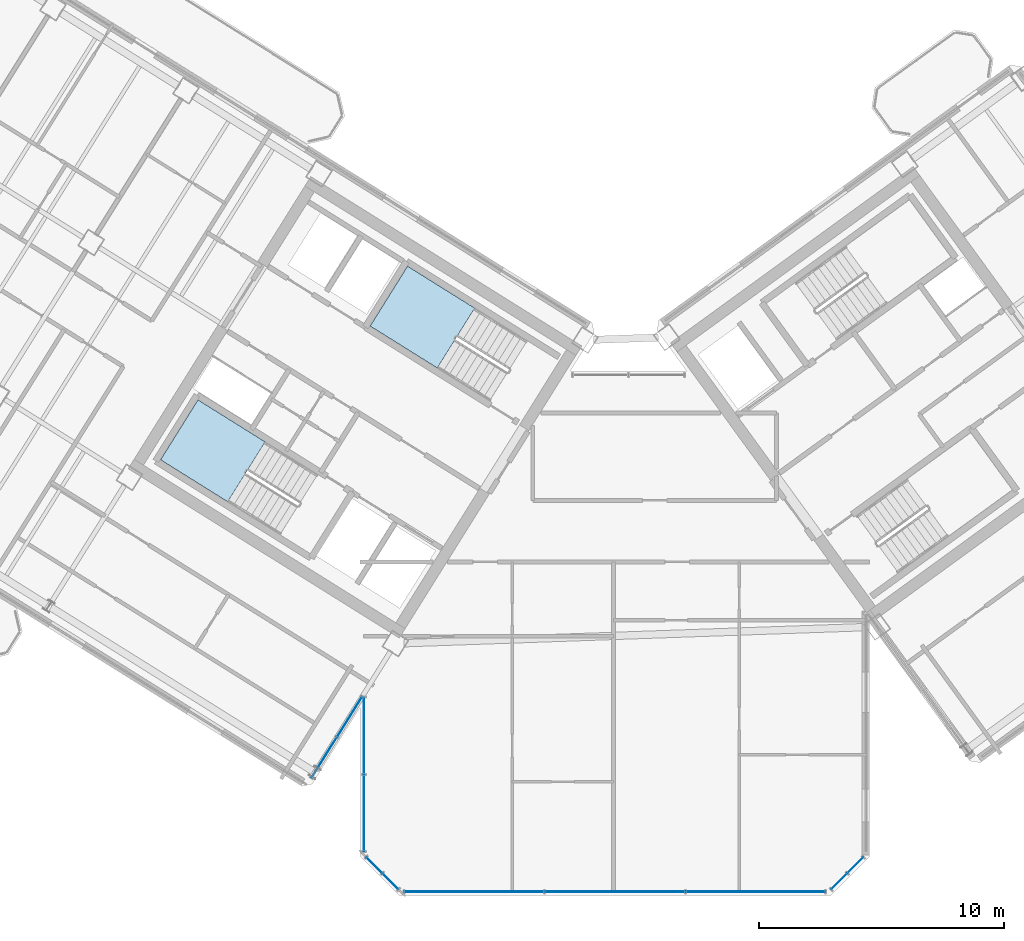
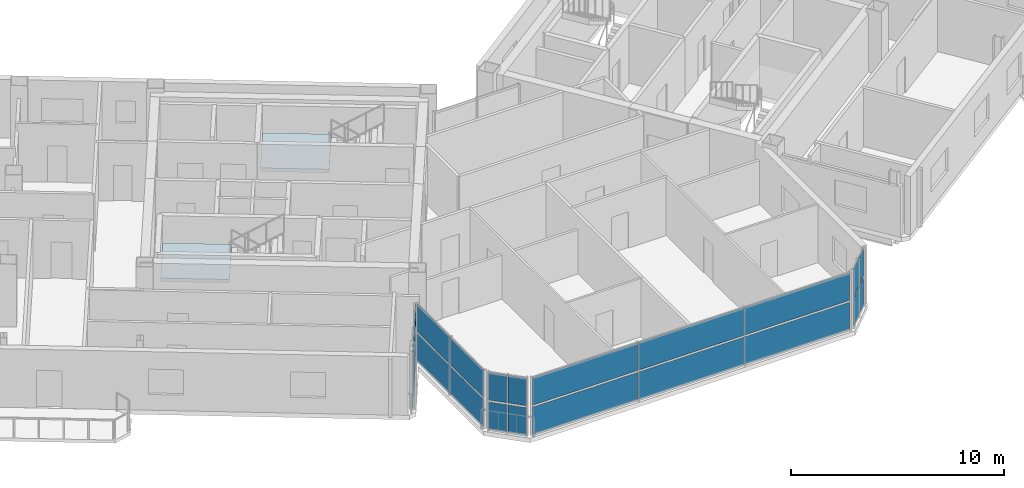
# One storey, part 14 of 29: 22 plates, 2 slabs, 7 elements without a shape of their own.
"""IFC4 building model written with IfcOpenShell, lengths in metres."""

import ifcopenshell
import ifcopenshell.guid

model = None  # the IFC model being written
_history = None  # IfcOwnerHistory: only IFC2X3 demands one
_inside = {}  # id of a spatial element -> (the spatial element, [elements in it])
_under = {}  # id of a project, library or spatial element -> (it, [spatial elements below it])
_declared = {}  # id of a project -> (the project, [libraries it declares])
_typed = {}  # id of a type object -> (the type object, [elements of that type])
_made_of = {}  # id of a material, layer set ... -> (it, [elements and type objects made of it])


def new_model(schema):
    """Start an empty IFC model of exactly this schema.

    Asked for "IFC4X3", IfcOpenShell would pick the latest addendum, in which some entities
    have other attributes; the version numbers below select the first issue.
    IFC2X3 requires an IfcOwnerHistory on every rooted entity: one is made here for all.
    """
    global model, _history
    if schema == "IFC4X3":
        model = ifcopenshell.file(schema_version=(4, 3, 0, 0))
    else:
        model = ifcopenshell.file(schema=schema)
    _inside.clear()
    _under.clear()
    _declared.clear()
    _typed.clear()
    _made_of.clear()
    _history = None
    if model.schema == "IFC2X3":
        org = make("IfcOrganization", Name="unknown")
        user = make(
            "IfcPersonAndOrganization",
            ThePerson=make("IfcPerson", FamilyName="unknown"),
            TheOrganization=org,
        )
        app = make(
            "IfcApplication",
            ApplicationDeveloper=org,
            Version="unknown",
            ApplicationFullName="unknown",
            ApplicationIdentifier="unknown",
        )
        _history = make(
            "IfcOwnerHistory",
            OwningUser=user,
            OwningApplication=app,
            ChangeAction="ADDED",
            CreationDate=0,
        )
    return model


def make(cls, **values):
    """One entity of the class cls with the attributes given. An attribute that is None is left unset."""
    return model.create_entity(
        cls, **{name: value for name, value in values.items() if value is not None}
    )


def rooted(cls, **values):
    """An entity with a GlobalId (a new one), such as an element, a storey or a relation."""
    return make(cls, GlobalId=ifcopenshell.guid.new(), OwnerHistory=_history, **values)


def si_unit(unit_type, name, prefix=None):
    """IfcSIUnit, for example si_unit("LENGTHUNIT", "METRE", prefix="MILLI")."""
    return make("IfcSIUnit", UnitType=unit_type, Prefix=prefix, Name=name)


def assignment(units):
    """IfcUnitAssignment: the units of a project."""
    return None if units is None else make("IfcUnitAssignment", Units=units)


def point(xyz):
    """IfcCartesianPoint."""
    return None if xyz is None else make("IfcCartesianPoint", Coordinates=xyz)


def direction(xyz):
    """IfcDirection."""
    return None if xyz is None else make("IfcDirection", DirectionRatios=xyz)


def frame(location, z_axis=None, x_axis=None):
    """IfcAxis2Placement3D, a coordinate frame: its origin and axes. An axis left out is left unset."""
    return make(
        "IfcAxis2Placement3D",
        Location=point(location),
        Axis=direction(z_axis),
        RefDirection=direction(x_axis),
    )


def frame_2d(location, x_axis=None):
    """IfcAxis2Placement2D, a coordinate frame in the plane: its origin and x axis."""
    return make(
        "IfcAxis2Placement2D", Location=point(location), RefDirection=direction(x_axis)
    )


def origin():
    """The frame at (0, 0, 0) with its axes left unset."""
    return frame((0.0, 0.0, 0.0))


def origin_2d():
    """The frame at (0, 0) in the plane with its x axis left unset."""
    return frame_2d((0.0, 0.0))


def place(relative_to, where):
    """IfcLocalPlacement: puts the frame where relative to a parent placement (None: the world)."""
    return make(
        "IfcLocalPlacement", PlacementRelTo=relative_to, RelativePlacement=where
    )


def context(
    kind, dimensions, precision=None, world=None, true_north=None, identifier=None
):
    """IfcGeometricRepresentationContext, for example the 3D "Model" context."""
    return make(
        "IfcGeometricRepresentationContext",
        ContextIdentifier=identifier,
        ContextType=kind,
        CoordinateSpaceDimension=dimensions,
        Precision=precision,
        WorldCoordinateSystem=world,
        TrueNorth=true_north,
    )


def subcontext(parent, identifier, kind, view, scale=None):
    """IfcGeometricRepresentationSubContext, for example "Body" below "Model"."""
    return make(
        "IfcGeometricRepresentationSubContext",
        ContextIdentifier=identifier,
        ContextType=kind,
        ParentContext=parent,
        TargetScale=scale,
        TargetView=view,
    )


def project(units=None, contexts=None):
    """IfcProject with its units and contexts."""
    return rooted(
        "IfcProject",
        Name="project",
        RepresentationContexts=contexts,
        UnitsInContext=assignment(units),
    )


def spatial(cls, under=None, at=None, **own):
    """A site, building, storey or space (cls), placed at a placement, below another one or the project."""
    s = rooted(cls, ObjectPlacement=at, **own)
    if under is not None:
        _under.setdefault(under.id(), (under, []))[1].append(s)
    return s


def polyline(points):
    """IfcPolyline through the points."""
    return make("IfcPolyline", Points=[point(p) for p in points])


def profile(cls, at=None, kind="AREA", **sizes):
    """A parametric profile (cls). Its sizes go by their IFC names, for example OverallWidth=200.0."""
    return make(cls, ProfileType=kind, Position=at, **sizes)


def rectangle(**sizes):
    """IfcRectangleProfileDef."""
    return profile("IfcRectangleProfileDef", **sizes)


def outline(outer, holes=None, kind="AREA"):
    """IfcArbitraryClosedProfileDef: a profile drawn as a closed curve; with holes, ...WithVoids."""
    if holes is None:
        return make("IfcArbitraryClosedProfileDef", ProfileType=kind, OuterCurve=outer)
    return make(
        "IfcArbitraryProfileDefWithVoids",
        ProfileType=kind,
        OuterCurve=outer,
        InnerCurves=holes,
    )


def extrude(swept, where, along, depth):
    """IfcExtrudedAreaSolid: the profile swept, set in the frame where, extruded along a direction by depth."""
    return make(
        "IfcExtrudedAreaSolid",
        SweptArea=swept,
        Position=where,
        ExtrudedDirection=direction(along),
        Depth=depth,
    )


def shape(context_of_items, identifier, shape_type, items):
    """IfcShapeRepresentation: the items that make up one representation, for example the "Body"."""
    return make(
        "IfcShapeRepresentation",
        ContextOfItems=context_of_items,
        RepresentationIdentifier=identifier,
        RepresentationType=shape_type,
        Items=items,
    )


def source(mapping_origin, context_of_items, identifier, shape_type, items):
    """IfcRepresentationMap: a shape defined once, which mapped items show again and again."""
    return make(
        "IfcRepresentationMap",
        MappingOrigin=mapping_origin,
        MappedRepresentation=shape(context_of_items, identifier, shape_type, items),
    )


def transform(
    local_origin,
    x_axis=None,
    y_axis=None,
    z_axis=None,
    scale=None,
    scale2=None,
    scale3=None,
    uniform=True,
):
    """IfcCartesianTransformationOperator3D, or its non-uniform kind. x_axis, y_axis, z_axis: its Axis1, 2, 3."""
    if uniform:
        return make(
            "IfcCartesianTransformationOperator3D",
            Axis1=direction(x_axis),
            Axis2=direction(y_axis),
            LocalOrigin=point(local_origin),
            Scale=scale,
            Axis3=direction(z_axis),
        )
    return make(
        "IfcCartesianTransformationOperator3DnonUniform",
        Axis1=direction(x_axis),
        Axis2=direction(y_axis),
        LocalOrigin=point(local_origin),
        Scale=scale,
        Axis3=direction(z_axis),
        Scale2=scale2,
        Scale3=scale3,
    )


def mapped(mapping_source, mapping_target):
    """IfcMappedItem: shows the shape of a source again, moved by a transform."""
    return make(
        "IfcMappedItem", MappingSource=mapping_source, MappingTarget=mapping_target
    )


def material(Name=None, Category=None):
    """IfcMaterial."""
    return make("IfcMaterial", Name=Name, Category=Category)


def layer(
    of_material, thickness, ventilated=None, Name=None, Category=None, Priority=None
):
    """IfcMaterialLayer: one layer of a wall or slab, of a material (None: an air gap)."""
    return make(
        "IfcMaterialLayer",
        Material=of_material,
        LayerThickness=thickness,
        IsVentilated=ventilated,
        Name=Name,
        Category=Category,
        Priority=Priority,
    )


def layer_set(layers, Name=None):
    """IfcMaterialLayerSet."""
    return make("IfcMaterialLayerSet", MaterialLayers=layers, LayerSetName=Name)


def made_of(thing, what):
    """Note that an element or type object is made of a material, layer set ...; save() writes the relation."""
    if what is not None:
        _made_of.setdefault(what.id(), (what, []))[1].append(thing)
    return thing


def type_object(cls, material=None, **own):
    """A type object (cls), such as IfcWallType, which elements share."""
    return made_of(rooted(cls, **own), material)


def element(
    cls,
    number,
    at=None,
    inside=None,
    cuts=None,
    type_object=None,
    material=None,
    context=None,
    identifier="Body",
    shape_type=None,
    held_by="IfcProductDefinitionShape",
    body=None,
    shapes=None,
    **own,
):
    """One element of the class cls, such as IfcWall. Its Tag is "e" and its number.

    at: its placement. inside: the storey or other place that contains it. cuts: it is an
    opening in that element (IfcRelVoidsElement). A single representation is given by context,
    identifier, shape_type and body (its items); several are given by shapes. held_by: the class
    of the entity that holds the representations. save() writes the other relations.
    """
    e = rooted(cls, Tag="e%d" % number, ObjectPlacement=at, **own)
    if body is not None:
        shapes = [shape(context, identifier, shape_type, body)]
    if shapes is not None:
        e.Representation = make(held_by, Representations=shapes)
    if inside is not None:
        _inside.setdefault(inside.id(), (inside, []))[1].append(e)
    if cuts is not None:
        rooted(
            "IfcRelVoidsElement", RelatingBuildingElement=cuts, RelatedOpeningElement=e
        )
    if type_object is not None:
        _typed.setdefault(type_object.id(), (type_object, []))[1].append(e)
    return made_of(e, material)


def aggregate(whole, parts):
    """IfcRelAggregates: a whole, such as a stair, and the parts it consists of."""
    return rooted("IfcRelAggregates", RelatingObject=whole, RelatedObjects=parts)


def save(model, path):
    """Write the relations noted so far, then the file.

    IfcRelAggregates (storeys below a building ...), IfcRelContainedInSpatialStructure (elements
    in a storey), IfcRelDefinesByType, IfcRelAssociatesMaterial and IfcRelDeclares: one each for
    every whole, place, type object, material and project.
    """
    for whole, parts in _under.values():
        aggregate(whole, parts)
    for where, things in _inside.values():
        rooted(
            "IfcRelContainedInSpatialStructure",
            RelatedElements=things,
            RelatingStructure=where,
        )
    for kind, things in _typed.values():
        rooted("IfcRelDefinesByType", RelatedObjects=things, RelatingType=kind)
    for what, things in _made_of.values():
        rooted("IfcRelAssociatesMaterial", RelatedObjects=things, RelatingMaterial=what)
    for by, libraries in _declared.values():
        rooted("IfcRelDeclares", RelatingContext=by, RelatedDefinitions=libraries)
    model.write(path)


model = new_model("IFC4")

# Units and contexts
model_context = context("Model", 3, precision=1e-05, world=origin(), true_north=direction((0.0, 1.0)))
body_context = subcontext(model_context, "Body", "Model", "MODEL_VIEW")
ifc_project = project(units=[si_unit("LENGTHUNIT", "METRE"), si_unit("AREAUNIT", "SQUARE_METRE"), si_unit("VOLUMEUNIT", "CUBIC_METRE"), si_unit("PLANEANGLEUNIT", "RADIAN"), si_unit("MASSUNIT", "GRAM", prefix="KILO")], contexts=[model_context])

# Site, building, storey
site_placement = place(None, origin())
site = spatial("IfcSite", under=ifc_project, at=site_placement, CompositionType="ELEMENT")
building_placement = place(site_placement, origin())
building = spatial("IfcBuilding", under=site, at=building_placement, Name="Tlacorven Tower", CompositionType="ELEMENT")
storey_placement = place(building_placement, frame((0.0, 0.0, 238.5)))
storey = spatial("IfcBuildingStorey", under=building, at=storey_placement, Name="L60", CompositionType="ELEMENT", Elevation=238.5)

# Stair, slab
ifc_material_1 = material(Name="Concrete C40/50", Category="concrete")
stair_type = type_object("IfcStairType", Name="ST-CORE-DLG", PredefinedType="HALF_TURN_STAIR", material=ifc_material_1)
stair_1_placement = place(storey_placement, origin())
stair_1 = element("IfcStair", 1, at=stair_1_placement, inside=storey, type_object=stair_type, Name="L60 Protected Exit Stair West 1", PredefinedType="HALF_TURN_STAIR")
ifc_layer_1 = layer(ifc_material_1, 0.199951171875)
ifc_layer_set_1 = layer_set([ifc_layer_1], Name="Concrete C40/50")
slab_type = type_object("IfcSlabType", Name="SL-LND-200", PredefinedType="LANDING", material=ifc_layer_set_1)
slab_1_placement = place(storey_placement, frame((0.0, 0.0, 1.60009765625)))
slab_1 = element("IfcSlab", 2, at=slab_1_placement, type_object=slab_type, Name="ST-W1 landing 1", PredefinedType="LANDING", context=body_context, shape_type="SweptSolid", body=[
    extrude(outline(polyline([(27.728515625, 20.315185546875), (24.9892578125, 22.02685546875), (23.463134765625, 19.58447265625), (26.2021484375, 17.872802734375), (27.728515625, 20.315185546875)])), origin(), (0.0, 0.0, 1.0), 0.199951171875),
])
aggregate(stair_1, [slab_1])

stair_2_placement = place(storey_placement, origin())
stair_2 = element("IfcStair", 3, at=stair_2_placement, inside=storey, type_object=stair_type, Name="L60 Protected Exit Stair West 2", PredefinedType="HALF_TURN_STAIR")
slab_2_placement = place(storey_placement, frame((0.0, 0.0, 1.60009765625)))
slab_2 = element("IfcSlab", 4, at=slab_2_placement, type_object=slab_type, Name="ST-W2 landing 1", PredefinedType="LANDING", context=body_context, shape_type="SweptSolid", body=[
    extrude(outline(polyline([(36.280029296875, 25.772705078125), (33.540771484375, 27.484375), (32.0146484375, 25.0419921875), (34.75390625, 23.33056640625), (36.280029296875, 25.772705078125)])), origin(), (0.0, 0.0, 1.0), 0.199951171875),
])
aggregate(stair_2, [slab_2])

# Curtain wall, plates
ifc_material_2 = material(Name="Dark solar low-E double glazing in aluminium frame", Category="aluminium")
curtain_wall_type = type_object("IfcCurtainWallType", Name="CW-TWR-HIGH", PredefinedType="USERDEFINED", material=ifc_material_2)
curtain_wall_1_placement = place(storey_placement, origin())
curtain_wall_1 = element("IfcCurtainWall", 5, at=curtain_wall_1_placement, inside=storey, type_object=curtain_wall_type, Name="L60 CW-TWR-HIGH Curtain Wall 272", ObjectType="UNITISED CURTAIN WALL", PredefinedType="USERDEFINED")
ifc_material_3 = material(Name="High-wind dark solar tempered low-E glazing", Category="glass")
ifc_layer_2 = layer(ifc_material_3, 0.028076171875)
ifc_layer_set_2 = layer_set([ifc_layer_2], Name="High-wind dark solar tempered low-E glazing")
plate_type = type_object("IfcPlateType", Name="CWP-03", PredefinedType="CURTAIN_PANEL", material=ifc_layer_set_2)
shared_shape_1 = source(origin(), body_context, "Body", "SweptSolid", [
    extrude(rectangle(XDim=0.89306640625, YDim=0.028076171875, at=origin_2d()), origin(), (0.0, 0.0, 1.0), 1.572998046875),
])
plate_1_placement = place(storey_placement, frame((51.8173828125, 3.043701171875, 0.05078125), z_axis=(0.0, 0.0, 1.0), x_axis=(-0.707106781187, -0.707106781187, 0.0)))
plate_1 = element("IfcPlate", 6, at=plate_1_placement, type_object=plate_type, Name="CW-L60-272 Glazing Panel 1", PredefinedType="CURTAIN_PANEL", context=body_context, shape_type="MappedRepresentation", body=[
    mapped(shared_shape_1, transform((0.0, 0.0, 0.0), scale=1.0)),
])
plate_2_placement = place(storey_placement, frame((51.8173828125, 3.043701171875, 1.72607421875), z_axis=(0.0, 0.0, 1.0), x_axis=(-0.707106781187, -0.707106781187, 0.0)))
plate_2 = element("IfcPlate", 7, at=plate_2_placement, type_object=plate_type, Name="CW-L60-272 Glazing Panel 2", PredefinedType="CURTAIN_PANEL", context=body_context, shape_type="MappedRepresentation", body=[
    mapped(shared_shape_1, transform((0.0, 0.0, 0.0), scale=1.0)),
])
plate_3_placement = place(storey_placement, frame((51.15625, 2.382568359375, 0.05078125), z_axis=(0.0, 0.0, 1.0), x_axis=(-0.707106781187, -0.707106781187, 0.0)))
plate_3 = element("IfcPlate", 8, at=plate_3_placement, type_object=plate_type, Name="CW-L60-272 Glazing Panel 3", PredefinedType="CURTAIN_PANEL", context=body_context, shape_type="MappedRepresentation", body=[
    mapped(shared_shape_1, transform((0.0, 0.0, 0.0), scale=1.0)),
])
plate_4_placement = place(storey_placement, frame((51.15625, 2.382568359375, 1.72607421875), z_axis=(0.0, 0.0, 1.0), x_axis=(-0.707106781187, -0.707106781187, 0.0)))
plate_4 = element("IfcPlate", 9, at=plate_4_placement, type_object=plate_type, Name="CW-L60-272 Glazing Panel 4", PredefinedType="CURTAIN_PANEL", context=body_context, shape_type="MappedRepresentation", body=[
    mapped(shared_shape_1, transform((0.0, 0.0, 0.0), scale=1.0)),
])
aggregate(curtain_wall_1, [plate_1, plate_2, plate_3, plate_4])

curtain_wall_2_placement = place(storey_placement, origin())
curtain_wall_2 = element("IfcCurtainWall", 10, at=curtain_wall_2_placement, inside=storey, type_object=curtain_wall_type, Name="L60 CW-TWR-HIGH Curtain Wall 274", ObjectType="UNITISED CURTAIN WALL", PredefinedType="USERDEFINED")
plate_5_placement = place(storey_placement, frame((32.84375, 2.382568359375, 0.05078125), z_axis=(0.0, 0.0, 1.0), x_axis=(-0.707106781187, 0.707106781187, 0.0)))
plate_5 = element("IfcPlate", 11, at=plate_5_placement, type_object=plate_type, Name="CW-L60-274 Glazing Panel 1", PredefinedType="CURTAIN_PANEL", context=body_context, shape_type="MappedRepresentation", body=[
    mapped(shared_shape_1, transform((0.0, 0.0, 0.0), scale=1.0)),
])
plate_6_placement = place(storey_placement, frame((32.84375, 2.382568359375, 1.72607421875), z_axis=(0.0, 0.0, 1.0), x_axis=(-0.707106781187, 0.707106781187, 0.0)))
plate_6 = element("IfcPlate", 12, at=plate_6_placement, type_object=plate_type, Name="CW-L60-274 Glazing Panel 2", PredefinedType="CURTAIN_PANEL", context=body_context, shape_type="MappedRepresentation", body=[
    mapped(shared_shape_1, transform((0.0, 0.0, 0.0), scale=1.0)),
])
plate_7_placement = place(storey_placement, frame((32.1826171875, 3.043701171875, 0.05078125), z_axis=(0.0, 0.0, 1.0), x_axis=(-0.707106781187, 0.707106781187, 0.0)))
plate_7 = element("IfcPlate", 13, at=plate_7_placement, type_object=plate_type, Name="CW-L60-274 Glazing Panel 3", PredefinedType="CURTAIN_PANEL", context=body_context, shape_type="MappedRepresentation", body=[
    mapped(shared_shape_1, transform((0.0, 0.0, 0.0), scale=1.0)),
])
plate_8_placement = place(storey_placement, frame((32.1826171875, 3.043701171875, 1.72607421875), z_axis=(0.0, 0.0, 1.0), x_axis=(-0.707106781187, 0.707106781187, 0.0)))
plate_8 = element("IfcPlate", 14, at=plate_8_placement, type_object=plate_type, Name="CW-L60-274 Glazing Panel 4", PredefinedType="CURTAIN_PANEL", context=body_context, shape_type="MappedRepresentation", body=[
    mapped(shared_shape_1, transform((0.0, 0.0, 0.0), scale=1.0)),
])
aggregate(curtain_wall_2, [plate_5, plate_6, plate_7, plate_8])

curtain_wall_3_placement = place(storey_placement, origin())
curtain_wall_3 = element("IfcCurtainWall", 15, at=curtain_wall_3_placement, inside=storey, type_object=curtain_wall_type, Name="L60 CW-TWR-HIGH Curtain Wall 273", ObjectType="UNITISED CURTAIN WALL", PredefinedType="USERDEFINED")
shared_shape_2 = source(origin(), body_context, "Body", "SweptSolid", [
    extrude(rectangle(XDim=5.683837890625, YDim=0.028076171875, at=origin_2d()), origin(), (0.0, 0.0, 1.0), 1.572998046875),
])
plate_9_placement = place(storey_placement, frame((47.74072265625, 1.9599609375, 0.05078125), z_axis=(0.0, 0.0, 1.0), x_axis=(-1.0, 0.0, 0.0)))
plate_9 = element("IfcPlate", 16, at=plate_9_placement, type_object=plate_type, Name="CW-L60-273 Glazing Panel 1", PredefinedType="CURTAIN_PANEL", context=body_context, shape_type="MappedRepresentation", body=[
    mapped(shared_shape_2, transform((0.0, 0.0, 0.0), scale=1.0)),
])
plate_10_placement = place(storey_placement, frame((47.74072265625, 1.9599609375, 1.72607421875), z_axis=(0.0, 0.0, 1.0), x_axis=(-1.0, 0.0, 0.0)))
plate_10 = element("IfcPlate", 17, at=plate_10_placement, type_object=plate_type, Name="CW-L60-273 Glazing Panel 2", PredefinedType="CURTAIN_PANEL", context=body_context, shape_type="MappedRepresentation", body=[
    mapped(shared_shape_2, transform((0.0, 0.0, 0.0), scale=1.0)),
])
plate_11_placement = place(storey_placement, frame((36.25927734375, 1.9599609375, 0.05078125), z_axis=(0.0, 0.0, 1.0), x_axis=(-1.0, 0.0, 0.0)))
plate_11 = element("IfcPlate", 18, at=plate_11_placement, type_object=plate_type, Name="CW-L60-273 Glazing Panel 5", PredefinedType="CURTAIN_PANEL", context=body_context, shape_type="MappedRepresentation", body=[
    mapped(shared_shape_2, transform((0.0, 0.0, 0.0), scale=1.0)),
])
plate_12_placement = place(storey_placement, frame((36.25927734375, 1.9599609375, 1.72607421875), z_axis=(0.0, 0.0, 1.0), x_axis=(-1.0, 0.0, 0.0)))
plate_12 = element("IfcPlate", 19, at=plate_12_placement, type_object=plate_type, Name="CW-L60-273 Glazing Panel 6", PredefinedType="CURTAIN_PANEL", context=body_context, shape_type="MappedRepresentation", body=[
    mapped(shared_shape_2, transform((0.0, 0.0, 0.0), scale=1.0)),
])
shared_shape_3 = source(origin(), body_context, "Body", "SweptSolid", [
    extrude(rectangle(XDim=5.7138671875, YDim=0.028076171875, at=origin_2d()), origin(), (0.0, 0.0, 1.0), 1.572998046875),
])
plate_13_placement = place(storey_placement, frame((42.0, 1.9599609375, 0.05078125), z_axis=(0.0, 0.0, 1.0), x_axis=(-1.0, 0.0, 0.0)))
plate_13 = element("IfcPlate", 20, at=plate_13_placement, type_object=plate_type, Name="CW-L60-273 Glazing Panel 3", PredefinedType="CURTAIN_PANEL", context=body_context, shape_type="MappedRepresentation", body=[
    mapped(shared_shape_3, transform((0.0, 0.0, 0.0), scale=1.0)),
])
plate_14_placement = place(storey_placement, frame((42.0, 1.9599609375, 1.72607421875), z_axis=(0.0, 0.0, 1.0), x_axis=(-1.0, 0.0, 0.0)))
plate_14 = element("IfcPlate", 21, at=plate_14_placement, type_object=plate_type, Name="CW-L60-273 Glazing Panel 4", PredefinedType="CURTAIN_PANEL", context=body_context, shape_type="MappedRepresentation", body=[
    mapped(shared_shape_3, transform((0.0, 0.0, 0.0), scale=1.0)),
])
aggregate(curtain_wall_3, [plate_9, plate_10, plate_13, plate_14, plate_11, plate_12])

curtain_wall_4_placement = place(storey_placement, origin())
curtain_wall_4 = element("IfcCurtainWall", 22, at=curtain_wall_4_placement, inside=storey, type_object=curtain_wall_type, Name="L60 CW-TWR-HIGH Curtain Wall 275", ObjectType="UNITISED CURTAIN WALL", PredefinedType="USERDEFINED")
shared_shape_4 = source(origin(), body_context, "Body", "SweptSolid", [
    extrude(rectangle(XDim=3.109130859375, YDim=0.028076171875, at=origin_2d()), origin(), (0.0, 0.0, 1.0), 1.572998046875),
])
plate_15_placement = place(storey_placement, frame((31.760009765625, 5.171875, 0.05078125), z_axis=(0.0, 0.0, 1.0), x_axis=(0.0, 1.0, 0.0)))
plate_15 = element("IfcPlate", 23, at=plate_15_placement, type_object=plate_type, Name="CW-L60-275 Glazing Panel 1", PredefinedType="CURTAIN_PANEL", context=body_context, shape_type="MappedRepresentation", body=[
    mapped(shared_shape_4, transform((0.0, 0.0, 0.0), scale=1.0)),
])
plate_16_placement = place(storey_placement, frame((31.760009765625, 5.171875, 1.72607421875), z_axis=(0.0, 0.0, 1.0), x_axis=(0.0, 1.0, 0.0)))
plate_16 = element("IfcPlate", 24, at=plate_16_placement, type_object=plate_type, Name="CW-L60-275 Glazing Panel 2", PredefinedType="CURTAIN_PANEL", context=body_context, shape_type="MappedRepresentation", body=[
    mapped(shared_shape_4, transform((0.0, 0.0, 0.0), scale=1.0)),
])
plate_17_placement = place(storey_placement, frame((31.760009765625, 8.322998046875, 0.05078125), z_axis=(0.0, 0.0, 1.0), x_axis=(0.0, 1.0, 0.0)))
plate_17 = element("IfcPlate", 25, at=plate_17_placement, type_object=plate_type, Name="CW-L60-275 Glazing Panel 3", PredefinedType="CURTAIN_PANEL", context=body_context, shape_type="MappedRepresentation", body=[
    mapped(shared_shape_4, transform((0.0, 0.0, 0.0), scale=1.0)),
])
plate_18_placement = place(storey_placement, frame((31.760009765625, 8.322998046875, 1.72607421875), z_axis=(0.0, 0.0, 1.0), x_axis=(0.0, 1.0, 0.0)))
plate_18 = element("IfcPlate", 26, at=plate_18_placement, type_object=plate_type, Name="CW-L60-275 Glazing Panel 4", PredefinedType="CURTAIN_PANEL", context=body_context, shape_type="MappedRepresentation", body=[
    mapped(shared_shape_4, transform((0.0, 0.0, 0.0), scale=1.0)),
])
aggregate(curtain_wall_4, [plate_15, plate_16, plate_17, plate_18])

curtain_wall_5_placement = place(storey_placement, origin())
curtain_wall_5 = element("IfcCurtainWall", 27, at=curtain_wall_5_placement, inside=storey, type_object=curtain_wall_type, Name="L60 CW-TWR-HIGH Curtain Wall 276", ObjectType="UNITISED CURTAIN WALL", PredefinedType="USERDEFINED")
shared_shape_5 = source(origin(), body_context, "Body", "SweptSolid", [
    extrude(rectangle(XDim=1.911376953125, YDim=0.028076171875, at=origin_2d()), origin(), (0.0, 0.0, 1.0), 1.572998046875),
])
plate_19_placement = place(storey_placement, frame((31.173583984375, 9.090087890625, 0.05078125), z_axis=(0.0, 0.0, 1.0), x_axis=(-0.529918710919, -0.848048441905, 0.0)))
plate_19 = element("IfcPlate", 28, at=plate_19_placement, type_object=plate_type, Name="CW-L60-276 Glazing Panel 1", PredefinedType="CURTAIN_PANEL", context=body_context, shape_type="MappedRepresentation", body=[
    mapped(shared_shape_5, transform((0.0, 0.0, 0.0), scale=1.0)),
])
plate_20_placement = place(storey_placement, frame((31.173583984375, 9.090087890625, 1.72607421875), z_axis=(0.0, 0.0, 1.0), x_axis=(-0.529918710919, -0.848048441905, 0.0)))
plate_20 = element("IfcPlate", 29, at=plate_20_placement, type_object=plate_type, Name="CW-L60-276 Glazing Panel 2", PredefinedType="CURTAIN_PANEL", context=body_context, shape_type="MappedRepresentation", body=[
    mapped(shared_shape_5, transform((0.0, 0.0, 0.0), scale=1.0)),
])
plate_21_placement = place(storey_placement, frame((30.138427734375, 7.43359375, 0.05078125), z_axis=(0.0, 0.0, 1.0), x_axis=(-0.529918710919, -0.848048441905, 0.0)))
plate_21 = element("IfcPlate", 30, at=plate_21_placement, type_object=plate_type, Name="CW-L60-276 Glazing Panel 3", PredefinedType="CURTAIN_PANEL", context=body_context, shape_type="MappedRepresentation", body=[
    mapped(shared_shape_5, transform((0.0, 0.0, 0.0), scale=1.0)),
])
plate_22_placement = place(storey_placement, frame((30.138427734375, 7.43359375, 1.72607421875), z_axis=(0.0, 0.0, 1.0), x_axis=(-0.529918710919, -0.848048441905, 0.0)))
plate_22 = element("IfcPlate", 31, at=plate_22_placement, type_object=plate_type, Name="CW-L60-276 Glazing Panel 4", PredefinedType="CURTAIN_PANEL", context=body_context, shape_type="MappedRepresentation", body=[
    mapped(shared_shape_5, transform((0.0, 0.0, 0.0), scale=1.0)),
])
aggregate(curtain_wall_5, [plate_19, plate_20, plate_21, plate_22])

save(model, "model.ifc")
